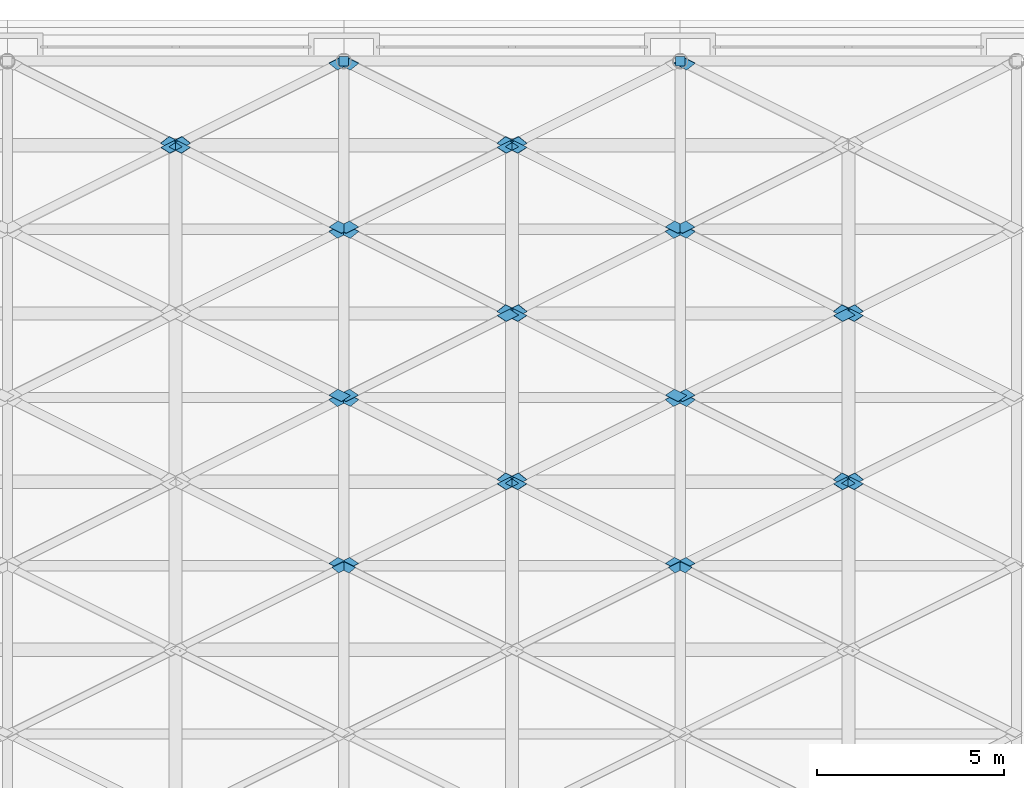
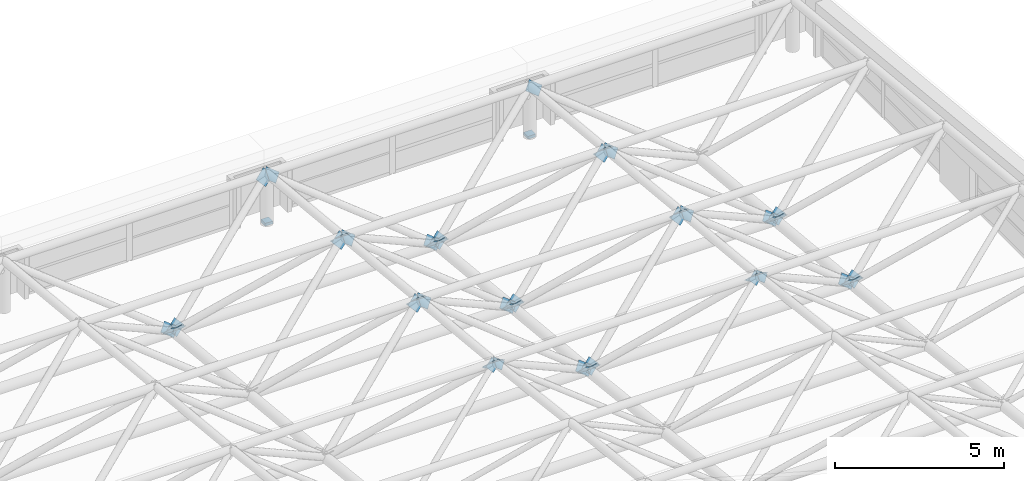
# One storey, part 50 of 53: 53 discrete accessories.
"""IFC4 building model written with IfcOpenShell, lengths in metres."""

from ifc_helpers import new_model, si_unit, direction, frame, origin, origin_2d, place, context, subcontext, project, spatial, polyline, rectangle, outline, extrude, material, layer, layer_set, type_object, element, save


model = new_model("IFC4")

# Units and contexts
model_context = context("Model", 3, precision=1e-05, world=origin(), true_north=direction((0.0, 1.0)))
body_context = subcontext(model_context, "Body", "Model", "MODEL_VIEW")
ifc_project = project(units=[si_unit("LENGTHUNIT", "METRE"), si_unit("AREAUNIT", "SQUARE_METRE"), si_unit("VOLUMEUNIT", "CUBIC_METRE"), si_unit("PLANEANGLEUNIT", "RADIAN"), si_unit("MASSUNIT", "GRAM", prefix="KILO")], contexts=[model_context])

# Site, building, storey
site_placement = place(None, origin())
site = spatial("IfcSite", under=ifc_project, at=site_placement, CompositionType="ELEMENT")
building_placement = place(site_placement, origin())
building = spatial("IfcBuilding", under=site, at=building_placement, Name="Aravalli Gate Trade Fair Centre", CompositionType="ELEMENT")
storey_placement = place(building_placement, frame((0.0, 0.0, 25.199951171875)))
storey = spatial("IfcBuildingStorey", under=building, at=storey_placement, Name="ROOF LEVEL 2", CompositionType="ELEMENT", Elevation=25.199951171875)

# Discrete accessories
ifc_material = material(Name="Steel E350", Category="steel")
discrete_accessory_type_1 = type_object("IfcDiscreteAccessoryType", Name="Bearing shoe sliding along the vault", PredefinedType="BRACKET", material=ifc_material)
for number, where, z_axis, x_axis, name in (
    (1, (87.0, 109.0, 0.0), (0.0, 0.0, 1.0), (1.0, 0.0, 0.0), "Bearing shoe H10 (sliding)"),
    (2, (96.0, 109.0, 0.0), (0.0, 0.0, 1.0), (1.0, 0.0, 0.0), "Bearing shoe H11 (sliding)"),
):
    element("IfcDiscreteAccessory", number, at=place(storey_placement, frame(where, z_axis=z_axis, x_axis=x_axis)), inside=storey, type_object=discrete_accessory_type_1, Name=name, PredefinedType="BRACKET", context=body_context, shape_type="SweptSolid", body=[
        extrude(rectangle(XDim=0.260009765625, YDim=0.260009765625, at=origin_2d()), origin(), (0.0, 0.0, 1.0), 0.10009765625),
    ])
ifc_layer_1 = layer(ifc_material, 0.011962890625)
ifc_layer_set_1 = layer_set([ifc_layer_1], Name="Steel E350")
discrete_accessory_type_2 = type_object("IfcDiscreteAccessoryType", Name="Gusset plate 291 x 291 x 12", PredefinedType="USERDEFINED", material=ifc_layer_set_1)
for number, where, z_axis, x_axis, name in (
    (3, (87.138916015625, 95.308349609375, 2.92724609375), (-6.9765199e-05, -0.771154883137, 0.636647580178), (-0.786484474244, 0.393242254842, 0.476238071536), "Gusset plate Space frame web diagonal D5C end A"),
    (4, (96.138916015625, 95.308349609375, 2.92724609375), (-6.9765199e-05, -0.771154883137, 0.636647580178), (-0.786484474244, 0.393242254842, 0.476238071536), "Gusset plate Space frame web diagonal D5C end A"),
):
    element("IfcDiscreteAccessory", number, at=place(storey_placement, frame(where, z_axis=z_axis, x_axis=x_axis)), inside=storey, type_object=discrete_accessory_type_2, Name=name, ObjectType="GUSSET PLATE", PredefinedType="USERDEFINED", context=body_context, shape_type="SweptSolid", body=[
        extrude(outline(polyline([(0.0, 0.0), (0.37064165383501635, 1.3877787807814457e-17), (0.3706783195979393, -0.29059144692340316), (0.00022867857401766278, -0.2904406632211646), (0.0, 0.0)])), origin(), (0.0, 0.0, -1.0), 0.011962890625),
    ])
for number, where, z_axis, x_axis, name in (
    (5, (86.681884765625, 95.453857421875, 3.103515625), (6.9765199e-05, -0.771154883137, 0.636647580178), (0.786233023991, 0.393446013556, 0.476484906794), "Gusset plate Space frame web diagonal D5D end A"),
    (6, (95.681884765625, 95.453857421875, 3.103515625), (6.9765199e-05, -0.771154883137, 0.636647580178), (0.786233023991, 0.393446013556, 0.476484906794), "Gusset plate Space frame web diagonal D5D end A"),
):
    element("IfcDiscreteAccessory", number, at=place(storey_placement, frame(where, z_axis=z_axis, x_axis=x_axis)), inside=storey, type_object=discrete_accessory_type_2, Name=name, ObjectType="GUSSET PLATE", PredefinedType="USERDEFINED", context=body_context, shape_type="SweptSolid", body=[
        extrude(outline(polyline([(0.0, 0.0), (0.37044967171058096, -2.7755575615628914e-17), (0.3702947268495056, -0.290591407927876), (-0.0003468962829482891, -0.29044054608337494), (0.0, 0.0)])), origin(), (0.0, 0.0, -1.0), 0.011962890625),
    ])
ifc_layer_2 = layer(ifc_material, 0.011962890625)
ifc_layer_set_2 = layer_set([ifc_layer_2], Name="Steel E350")
discrete_accessory_type_3 = type_object("IfcDiscreteAccessoryType", Name="Gusset plate 367 x 367 x 12", PredefinedType="USERDEFINED", material=ifc_layer_set_2)
discrete_accessory_1_placement = place(storey_placement, frame((87.155517578125, 95.721923828125, 2.84228515625), z_axis=(-5.6748583e-05, 0.820281851296, 0.571959510117), x_axis=(-0.752910033129, -0.376455016564, 0.539822287904)))
element("IfcDiscreteAccessory", 7, at=discrete_accessory_1_placement, inside=storey, type_object=discrete_accessory_type_3, Name="Gusset plate Space frame web diagonal D6A end A", ObjectType="GUSSET PLATE", PredefinedType="USERDEFINED", context=body_context, shape_type="SweptSolid", body=[
    extrude(outline(polyline([(0.0, 0.0), (0.44683397278152426, -2.7755575615628914e-17), (0.44699177701993154, 0.3666937395408909), (0.0001578042384072914, 0.3666937395408909), (0.0, 0.0)])), origin(), (0.0, 0.0, -1.0), 0.011962890625),
])
discrete_accessory_2_placement = place(storey_placement, frame((91.103271484375, 97.69580078125, 0.01318359375), z_axis=(-5.6748583e-05, 0.820281851296, 0.571959510117), x_axis=(0.752910033129, 0.376455016564, -0.539822287904)))
element("IfcDiscreteAccessory", 8, at=discrete_accessory_2_placement, inside=storey, type_object=discrete_accessory_type_3, Name="Gusset plate Space frame web diagonal D6A end B", ObjectType="GUSSET PLATE", PredefinedType="USERDEFINED", context=body_context, shape_type="SweptSolid", body=[
    extrude(outline(polyline([(0.0, 0.0), (0.44683397278152426, -2.7755575615628914e-17), (0.446676168543117, -0.36669373954089096), (-0.0001578042384072914, -0.3666937395408909), (0.0, 0.0)])), origin(), (0.0, 0.0, -1.0), 0.011962890625),
])
discrete_accessory_3_placement = place(storey_placement, frame((96.155517578125, 95.721923828125, 2.84228515625), z_axis=(-5.6748583e-05, 0.820281851296, 0.571959510117), x_axis=(-0.752910033129, -0.376455016564, 0.539822287904)))
element("IfcDiscreteAccessory", 9, at=discrete_accessory_3_placement, inside=storey, type_object=discrete_accessory_type_3, Name="Gusset plate Space frame web diagonal D6A end A", ObjectType="GUSSET PLATE", PredefinedType="USERDEFINED", context=body_context, shape_type="SweptSolid", body=[
    extrude(outline(polyline([(0.0, 0.0), (0.44683397278152426, -2.7755575615628914e-17), (0.44699177701993154, 0.3666937395408909), (0.0001578042384072914, 0.3666937395408909), (0.0, 0.0)])), origin(), (0.0, 0.0, -1.0), 0.011962890625),
])
discrete_accessory_4_placement = place(storey_placement, frame((100.103271484375, 97.69580078125, 0.01318359375), z_axis=(-5.6748583e-05, 0.820281851296, 0.571959510117), x_axis=(0.752910033129, 0.376455016564, -0.539822287904)))
element("IfcDiscreteAccessory", 10, at=discrete_accessory_4_placement, inside=storey, type_object=discrete_accessory_type_3, Name="Gusset plate Space frame web diagonal D6A end B", ObjectType="GUSSET PLATE", PredefinedType="USERDEFINED", context=body_context, shape_type="SweptSolid", body=[
    extrude(outline(polyline([(0.0, 0.0), (0.44683397278152426, -2.7755575615628914e-17), (0.446676168543117, -0.36669373954089096), (-0.0001578042384072914, -0.3666937395408909), (0.0, 0.0)])), origin(), (0.0, 0.0, -1.0), 0.011962890625),
])
discrete_accessory_5_placement = place(storey_placement, frame((87.155517578125, 100.221923828125, 2.392333984375), z_axis=(-4.9126691e-05, 0.820140995503, 0.572161467667), x_axis=(-0.752910034648, -0.376583216139, 0.539732860821)))
element("IfcDiscreteAccessory", 11, at=discrete_accessory_5_placement, inside=storey, type_object=discrete_accessory_type_3, Name="Gusset plate Space frame web diagonal D6A end A", ObjectType="GUSSET PLATE", PredefinedType="USERDEFINED", context=body_context, shape_type="SweptSolid", body=[
    extrude(outline(polyline([(0.0, 0.0), (0.4468339673229258, 0.0), (0.4468599899280901, 0.36654297340046177), (0.00015779332313807515, 0.366693732894023), (0.0, 0.0)])), origin(), (0.0, 0.0, -1.0), 0.011962890625),
])
discrete_accessory_6_placement = place(storey_placement, frame((91.103271484375, 102.19580078125, -0.436767578125), z_axis=(-4.9126691e-05, 0.820140995503, 0.572161467667), x_axis=(0.752910034648, 0.376583216139, -0.539732860821)))
element("IfcDiscreteAccessory", 12, at=discrete_accessory_6_placement, inside=storey, type_object=discrete_accessory_type_3, Name="Gusset plate Space frame web diagonal D6A end B", ObjectType="GUSSET PLATE", PredefinedType="USERDEFINED", context=body_context, shape_type="SweptSolid", body=[
    extrude(outline(polyline([(0.0, 0.0), (0.4468339673229258, 0.0), (0.44667617399978776, -0.366693732894023), (-2.6022605164321977e-05, -0.3665429734004617), (0.0, 0.0)])), origin(), (0.0, 0.0, -1.0), 0.011962890625),
])
discrete_accessory_7_placement = place(storey_placement, frame((96.155517578125, 100.221923828125, 2.392333984375), z_axis=(-4.9126691e-05, 0.820140995503, 0.572161467667), x_axis=(-0.752910034648, -0.376583216139, 0.539732860821)))
element("IfcDiscreteAccessory", 13, at=discrete_accessory_7_placement, inside=storey, type_object=discrete_accessory_type_3, Name="Gusset plate Space frame web diagonal D6A end A", ObjectType="GUSSET PLATE", PredefinedType="USERDEFINED", context=body_context, shape_type="SweptSolid", body=[
    extrude(outline(polyline([(0.0, 0.0), (0.4468339673229258, 0.0), (0.4468599899280901, 0.36654297340046177), (0.00015779332313807515, 0.366693732894023), (0.0, 0.0)])), origin(), (0.0, 0.0, -1.0), 0.011962890625),
])
discrete_accessory_8_placement = place(storey_placement, frame((100.103271484375, 102.19580078125, -0.436767578125), z_axis=(-4.9126691e-05, 0.820140995503, 0.572161467667), x_axis=(0.752910034648, 0.376583216139, -0.539732860821)))
element("IfcDiscreteAccessory", 14, at=discrete_accessory_8_placement, inside=storey, type_object=discrete_accessory_type_3, Name="Gusset plate Space frame web diagonal D6A end B", ObjectType="GUSSET PLATE", PredefinedType="USERDEFINED", context=body_context, shape_type="SweptSolid", body=[
    extrude(outline(polyline([(0.0, 0.0), (0.4468339673229258, 0.0), (0.44667617399978776, -0.366693732894023), (-2.6022605164321977e-05, -0.3665429734004617), (0.0, 0.0)])), origin(), (0.0, 0.0, -1.0), 0.011962890625),
])
discrete_accessory_9_placement = place(storey_placement, frame((82.103271484375, 106.69580078125, -0.886962890625), z_axis=(-0.000292195819, 0.820164189793, 0.572128146837), x_axis=(0.753132087854, 0.376566043927, -0.539434956975)))
element("IfcDiscreteAccessory", 15, at=discrete_accessory_9_placement, inside=storey, type_object=discrete_accessory_type_3, Name="Gusset plate Space frame web diagonal D6A end B", ObjectType="GUSSET PLATE", PredefinedType="USERDEFINED", context=body_context, shape_type="SweptSolid", body=[
    extrude(outline(polyline([(0.0, 0.0), (0.4467022275054028, 2.7755575615628914e-17), (0.4466682021894723, -0.366693771917302), (-3.402531593046931e-05, -0.366693771917302), (0.0, 0.0)])), origin(), (0.0, 0.0, -1.0), 0.011962890625),
])
discrete_accessory_10_placement = place(storey_placement, frame((87.155517578125, 104.721923828125, 1.9423828125), z_axis=(-0.000292195819, 0.820164189793, 0.572128146837), x_axis=(-0.753132087854, -0.376566043927, 0.539434956975)))
element("IfcDiscreteAccessory", 16, at=discrete_accessory_10_placement, inside=storey, type_object=discrete_accessory_type_3, Name="Gusset plate Space frame web diagonal D6A end A", ObjectType="GUSSET PLATE", PredefinedType="USERDEFINED", context=body_context, shape_type="SweptSolid", body=[
    extrude(outline(polyline([(0.0, 0.0), (0.4467022275054028, 2.7755575615628914e-17), (0.4467362528213333, 0.36669377191730207), (3.402531593046931e-05, 0.366693771917302), (0.0, 0.0)])), origin(), (0.0, 0.0, -1.0), 0.011962890625),
])
discrete_accessory_11_placement = place(storey_placement, frame((91.103271484375, 106.69580078125, -0.886962890625), z_axis=(-0.000292195819, 0.820164189793, 0.572128146837), x_axis=(0.753132087854, 0.376566043927, -0.539434956975)))
element("IfcDiscreteAccessory", 17, at=discrete_accessory_11_placement, inside=storey, type_object=discrete_accessory_type_3, Name="Gusset plate Space frame web diagonal D6A end B", ObjectType="GUSSET PLATE", PredefinedType="USERDEFINED", context=body_context, shape_type="SweptSolid", body=[
    extrude(outline(polyline([(0.0, 0.0), (0.4467022275054028, 2.7755575615628914e-17), (0.4466682021894723, -0.366693771917302), (-3.402531593046931e-05, -0.366693771917302), (0.0, 0.0)])), origin(), (0.0, 0.0, -1.0), 0.011962890625),
])
discrete_accessory_12_placement = place(storey_placement, frame((96.155517578125, 104.721923828125, 1.9423828125), z_axis=(-0.000292195819, 0.820164189793, 0.572128146837), x_axis=(-0.753132087854, -0.376566043927, 0.539434956975)))
element("IfcDiscreteAccessory", 18, at=discrete_accessory_12_placement, inside=storey, type_object=discrete_accessory_type_3, Name="Gusset plate Space frame web diagonal D6A end A", ObjectType="GUSSET PLATE", PredefinedType="USERDEFINED", context=body_context, shape_type="SweptSolid", body=[
    extrude(outline(polyline([(0.0, 0.0), (0.4467022275054028, 2.7755575615628914e-17), (0.4467362528213333, 0.36669377191730207), (3.402531593046931e-05, 0.366693771917302), (0.0, 0.0)])), origin(), (0.0, 0.0, -1.0), 0.011962890625),
])
for number, where, z_axis, x_axis, name in (
    (19, (86.603271484375, 95.56396484375, 3.06884765625), (5.6748583e-05, 0.820281851296, 0.571959510117), (0.752910033129, -0.376455016564, 0.539822287904), "Gusset plate Space frame web diagonal D6B end A"),
    (20, (95.603271484375, 95.56396484375, 3.06884765625), (5.6748583e-05, 0.820281851296, 0.571959510117), (0.752910033129, -0.376455016564, 0.539822287904), "Gusset plate Space frame web diagonal D6B end A"),
):
    element("IfcDiscreteAccessory", number, at=place(storey_placement, frame(where, z_axis=z_axis, x_axis=x_axis)), inside=storey, type_object=discrete_accessory_type_3, Name=name, ObjectType="GUSSET PLATE", PredefinedType="USERDEFINED", context=body_context, shape_type="SweptSolid", body=[
        extrude(outline(polyline([(0.0, 0.0), (0.44683397278152426, 2.7755575615628914e-17), (0.446676168543117, 0.36669373954089096), (-0.0001578042384072914, 0.3666937395408909), (0.0, 0.0)])), origin(), (0.0, 0.0, -1.0), 0.011962890625),
    ])
for number, where, z_axis, x_axis, name in (
    (21, (91.655517578125, 97.537841796875, 0.23974609375), (5.6748583e-05, 0.820281851296, 0.571959510117), (-0.752910033129, 0.376455016564, -0.539822287904), "Gusset plate Space frame web diagonal D6B end B"),
    (22, (100.655517578125, 97.537841796875, 0.23974609375), (5.6748583e-05, 0.820281851296, 0.571959510117), (-0.752910033129, 0.376455016564, -0.539822287904), "Gusset plate Space frame web diagonal D6B end B"),
):
    element("IfcDiscreteAccessory", number, at=place(storey_placement, frame(where, z_axis=z_axis, x_axis=x_axis)), inside=storey, type_object=discrete_accessory_type_3, Name=name, ObjectType="GUSSET PLATE", PredefinedType="USERDEFINED", context=body_context, shape_type="SweptSolid", body=[
        extrude(outline(polyline([(0.0, 0.0), (0.44683397278152426, 2.7755575615628914e-17), (0.44699177701993154, -0.3666937395408909), (0.0001578042384072914, -0.3666937395408909), (0.0, 0.0)])), origin(), (0.0, 0.0, -1.0), 0.011962890625),
    ])
for number, where, z_axis, x_axis, name in (
    (23, (86.603271484375, 100.06396484375, 2.618896484375), (4.9126691e-05, 0.820140995503, 0.572161467667), (0.753132104741, -0.376437815746, 0.539524423623), "Gusset plate Space frame web diagonal D6B end A"),
    (24, (95.603271484375, 100.06396484375, 2.618896484375), (4.9126691e-05, 0.820140995503, 0.572161467667), (0.753132104741, -0.376437815746, 0.539524423623), "Gusset plate Space frame web diagonal D6B end A"),
):
    element("IfcDiscreteAccessory", number, at=place(storey_placement, frame(where, z_axis=z_axis, x_axis=x_axis)), inside=storey, type_object=discrete_accessory_type_3, Name=name, ObjectType="GUSSET PLATE", PredefinedType="USERDEFINED", context=body_context, shape_type="SweptSolid", body=[
        extrude(outline(polyline([(0.0, 0.0), (0.4467022220451944, 0.0), (0.44679990563841726, 0.3665429613078707), (-3.4036236763179684e-05, 0.3666937652647241), (0.0, 0.0)])), origin(), (0.0, 0.0, -1.0), 0.011962890625),
    ])
for number, where, z_axis, x_axis, name in (
    (25, (91.655517578125, 102.037841796875, -0.21044921875), (4.9126691e-05, 0.820140995503, 0.572161467667), (-0.753132104741, 0.376437815746, -0.539524423623), "Gusset plate Space frame web diagonal D6B end B"),
    (26, (100.655517578125, 102.037841796875, -0.21044921875), (4.9126691e-05, 0.820140995503, 0.572161467667), (-0.753132104741, 0.376437815746, -0.539524423623), "Gusset plate Space frame web diagonal D6B end B"),
):
    element("IfcDiscreteAccessory", number, at=place(storey_placement, frame(where, z_axis=z_axis, x_axis=x_axis)), inside=storey, type_object=discrete_accessory_type_3, Name=name, ObjectType="GUSSET PLATE", PredefinedType="USERDEFINED", context=body_context, shape_type="SweptSolid", body=[
        extrude(outline(polyline([(0.0, 0.0), (0.4467022220451944, 0.0), (0.44673625828195757, -0.3666937652647241), (-9.768359322287479e-05, -0.3665429613078708), (0.0, 0.0)])), origin(), (0.0, 0.0, -1.0), 0.011962890625),
    ])
discrete_accessory_13_placement = place(storey_placement, frame((86.603271484375, 104.56396484375, 2.1689453125), z_axis=(0.000292195819, 0.820164189793, 0.572128146837), x_axis=(0.753132087854, -0.376566043927, 0.539434956975)))
element("IfcDiscreteAccessory", 27, at=discrete_accessory_13_placement, inside=storey, type_object=discrete_accessory_type_3, Name="Gusset plate Space frame web diagonal D6B end A", ObjectType="GUSSET PLATE", PredefinedType="USERDEFINED", context=body_context, shape_type="SweptSolid", body=[
    extrude(outline(polyline([(0.0, 0.0), (0.4467022275054028, -2.7755575615628914e-17), (0.4466682021894723, 0.366693771917302), (-3.402531593046931e-05, 0.366693771917302), (0.0, 0.0)])), origin(), (0.0, 0.0, -1.0), 0.011962890625),
])
discrete_accessory_14_placement = place(storey_placement, frame((82.655517578125, 106.537841796875, -0.660400390625), z_axis=(0.000292195819, 0.820164189793, 0.572128146837), x_axis=(-0.753132087854, 0.376566043927, -0.539434956975)))
element("IfcDiscreteAccessory", 28, at=discrete_accessory_14_placement, inside=storey, type_object=discrete_accessory_type_3, Name="Gusset plate Space frame web diagonal D6B end B", ObjectType="GUSSET PLATE", PredefinedType="USERDEFINED", context=body_context, shape_type="SweptSolid", body=[
    extrude(outline(polyline([(0.0, 0.0), (0.4467022275054028, -2.7755575615628914e-17), (0.4467362528213333, -0.36669377191730207), (3.402531593046931e-05, -0.366693771917302), (0.0, 0.0)])), origin(), (0.0, 0.0, -1.0), 0.011962890625),
])
discrete_accessory_15_placement = place(storey_placement, frame((95.603271484375, 104.56396484375, 2.1689453125), z_axis=(0.000292195819, 0.820164189793, 0.572128146837), x_axis=(0.753132087854, -0.376566043927, 0.539434956975)))
element("IfcDiscreteAccessory", 29, at=discrete_accessory_15_placement, inside=storey, type_object=discrete_accessory_type_3, Name="Gusset plate Space frame web diagonal D6B end A", ObjectType="GUSSET PLATE", PredefinedType="USERDEFINED", context=body_context, shape_type="SweptSolid", body=[
    extrude(outline(polyline([(0.0, 0.0), (0.4467022275054028, -2.7755575615628914e-17), (0.4466682021894723, 0.366693771917302), (-3.402531593046931e-05, 0.366693771917302), (0.0, 0.0)])), origin(), (0.0, 0.0, -1.0), 0.011962890625),
])
discrete_accessory_16_placement = place(storey_placement, frame((91.655517578125, 106.537841796875, -0.660400390625), z_axis=(0.000292195819, 0.820164189793, 0.572128146837), x_axis=(-0.753132087854, 0.376566043927, -0.539434956975)))
element("IfcDiscreteAccessory", 30, at=discrete_accessory_16_placement, inside=storey, type_object=discrete_accessory_type_3, Name="Gusset plate Space frame web diagonal D6B end B", ObjectType="GUSSET PLATE", PredefinedType="USERDEFINED", context=body_context, shape_type="SweptSolid", body=[
    extrude(outline(polyline([(0.0, 0.0), (0.4467022275054028, -2.7755575615628914e-17), (0.4467362528213333, -0.36669377191730207), (3.402531593046931e-05, -0.366693771917302), (0.0, 0.0)])), origin(), (0.0, 0.0, -1.0), 0.011962890625),
])
discrete_accessory_17_placement = place(storey_placement, frame((87.173095703125, 99.76123046875, 2.4150390625), z_axis=(-0.000106895173, -0.77673595722, 0.629826358082), x_axis=(-0.783044443413, 0.391795440284, 0.483050445204)))
element("IfcDiscreteAccessory", 31, at=discrete_accessory_17_placement, inside=storey, type_object=discrete_accessory_type_3, Name="Gusset plate Space frame web diagonal D6C end A", ObjectType="GUSSET PLATE", PredefinedType="USERDEFINED", context=body_context, shape_type="SweptSolid", body=[
    extrude(outline(polyline([(0.0, 0.0), (0.4467862821424865, 0.0), (0.4467086389724838, -0.36691841645657763), (-7.764317000273635e-05, -0.36691841645657763), (0.0, 0.0)])), origin(), (0.0, 0.0, -1.0), 0.011962890625),
])
discrete_accessory_18_placement = place(storey_placement, frame((91.0986328125, 97.798583984375, -0.005615234375), z_axis=(-0.000106895173, -0.77673595722, 0.629826358082), x_axis=(0.783044443413, -0.391795440284, -0.483050445204)))
element("IfcDiscreteAccessory", 32, at=discrete_accessory_18_placement, inside=storey, type_object=discrete_accessory_type_3, Name="Gusset plate Space frame web diagonal D6C end B", ObjectType="GUSSET PLATE", PredefinedType="USERDEFINED", context=body_context, shape_type="SweptSolid", body=[
    extrude(outline(polyline([(0.0, 0.0), (0.4467862821424865, 0.0), (0.4468639253124893, 0.3669184164565776), (7.764317000273635e-05, 0.36691841645657763), (0.0, 0.0)])), origin(), (0.0, 0.0, -1.0), 0.011962890625),
])
discrete_accessory_19_placement = place(storey_placement, frame((96.173095703125, 99.76123046875, 2.4150390625), z_axis=(-0.000106895173, -0.77673595722, 0.629826358082), x_axis=(-0.783044443413, 0.391795440284, 0.483050445204)))
element("IfcDiscreteAccessory", 33, at=discrete_accessory_19_placement, inside=storey, type_object=discrete_accessory_type_3, Name="Gusset plate Space frame web diagonal D6C end A", ObjectType="GUSSET PLATE", PredefinedType="USERDEFINED", context=body_context, shape_type="SweptSolid", body=[
    extrude(outline(polyline([(0.0, 0.0), (0.4467862821424865, 0.0), (0.4467086389724838, -0.36691841645657763), (-7.764317000273635e-05, -0.36691841645657763), (0.0, 0.0)])), origin(), (0.0, 0.0, -1.0), 0.011962890625),
])
discrete_accessory_20_placement = place(storey_placement, frame((100.0986328125, 97.798583984375, -0.005615234375), z_axis=(-0.000106895173, -0.77673595722, 0.629826358082), x_axis=(0.783044443413, -0.391795440284, -0.483050445204)))
element("IfcDiscreteAccessory", 34, at=discrete_accessory_20_placement, inside=storey, type_object=discrete_accessory_type_3, Name="Gusset plate Space frame web diagonal D6C end B", ObjectType="GUSSET PLATE", PredefinedType="USERDEFINED", context=body_context, shape_type="SweptSolid", body=[
    extrude(outline(polyline([(0.0, 0.0), (0.4467862821424865, 0.0), (0.4468639253124893, 0.3669184164565776), (7.764317000273635e-05, 0.36691841645657763), (0.0, 0.0)])), origin(), (0.0, 0.0, -1.0), 0.011962890625),
])
discrete_accessory_21_placement = place(storey_placement, frame((87.173095703125, 104.26123046875, 1.965087890625), z_axis=(-0.000106895173, -0.77673595722, 0.629826358082), x_axis=(-0.783044443413, 0.391795440284, 0.483050445204)))
element("IfcDiscreteAccessory", 35, at=discrete_accessory_21_placement, inside=storey, type_object=discrete_accessory_type_3, Name="Gusset plate Space frame web diagonal D6C end A", ObjectType="GUSSET PLATE", PredefinedType="USERDEFINED", context=body_context, shape_type="SweptSolid", body=[
    extrude(outline(polyline([(0.0, 0.0), (0.4467862821424865, 0.0), (0.4467086389724838, -0.36691841645657763), (-7.764317000273635e-05, -0.36691841645657763), (0.0, 0.0)])), origin(), (0.0, 0.0, -1.0), 0.011962890625),
])
discrete_accessory_22_placement = place(storey_placement, frame((91.0986328125, 102.298583984375, -0.45556640625), z_axis=(-0.000106895173, -0.77673595722, 0.629826358082), x_axis=(0.783044443413, -0.391795440284, -0.483050445204)))
element("IfcDiscreteAccessory", 36, at=discrete_accessory_22_placement, inside=storey, type_object=discrete_accessory_type_3, Name="Gusset plate Space frame web diagonal D6C end B", ObjectType="GUSSET PLATE", PredefinedType="USERDEFINED", context=body_context, shape_type="SweptSolid", body=[
    extrude(outline(polyline([(0.0, 0.0), (0.4467862821424865, 0.0), (0.4468639253124893, 0.3669184164565776), (7.764317000273635e-05, 0.36691841645657763), (0.0, 0.0)])), origin(), (0.0, 0.0, -1.0), 0.011962890625),
])
discrete_accessory_23_placement = place(storey_placement, frame((96.173095703125, 104.26123046875, 1.965087890625), z_axis=(-0.000106895173, -0.77673595722, 0.629826358082), x_axis=(-0.783044443413, 0.391795440284, 0.483050445204)))
element("IfcDiscreteAccessory", 37, at=discrete_accessory_23_placement, inside=storey, type_object=discrete_accessory_type_3, Name="Gusset plate Space frame web diagonal D6C end A", ObjectType="GUSSET PLATE", PredefinedType="USERDEFINED", context=body_context, shape_type="SweptSolid", body=[
    extrude(outline(polyline([(0.0, 0.0), (0.4467862821424865, 0.0), (0.4467086389724838, -0.36691841645657763), (-7.764317000273635e-05, -0.36691841645657763), (0.0, 0.0)])), origin(), (0.0, 0.0, -1.0), 0.011962890625),
])
for number, where, z_axis, x_axis, name in (
    (38, (100.0986328125, 102.298583984375, -0.45556640625), (-0.000106895173, -0.77673595722, 0.629826358082), (0.783044443413, -0.391795440284, -0.483050445204), "Gusset plate Space frame web diagonal D6C end B"),
    (39, (82.0986328125, 106.798583984375, -0.905517578125), (-0.000106895173, -0.77673595722, 0.629826358082), (0.783044443413, -0.391795440284, -0.483050445204), "Gusset plate Space frame web diagonal D6C end B"),
):
    element("IfcDiscreteAccessory", number, at=place(storey_placement, frame(where, z_axis=z_axis, x_axis=x_axis)), inside=storey, type_object=discrete_accessory_type_3, Name=name, ObjectType="GUSSET PLATE", PredefinedType="USERDEFINED", context=body_context, shape_type="SweptSolid", body=[
        extrude(outline(polyline([(0.0, 0.0), (0.4467862821424865, 0.0), (0.4468639253124893, 0.3669184164565776), (7.764317000273635e-05, 0.36691841645657763), (0.0, 0.0)])), origin(), (0.0, 0.0, -1.0), 0.011962890625),
    ])
discrete_accessory_24_placement = place(storey_placement, frame((87.173095703125, 108.76123046875, 1.51513671875), z_axis=(-0.000106895173, -0.77673595722, 0.629826358082), x_axis=(-0.783044443413, 0.391795440284, 0.483050445204)))
element("IfcDiscreteAccessory", 40, at=discrete_accessory_24_placement, inside=storey, type_object=discrete_accessory_type_3, Name="Gusset plate Space frame web diagonal D6C end A", ObjectType="GUSSET PLATE", PredefinedType="USERDEFINED", context=body_context, shape_type="SweptSolid", body=[
    extrude(outline(polyline([(0.0, 0.0), (0.4467862821424865, 0.0), (0.4467086389724838, -0.36691841645657763), (-7.764317000273635e-05, -0.36691841645657763), (0.0, 0.0)])), origin(), (0.0, 0.0, -1.0), 0.011962890625),
])
discrete_accessory_25_placement = place(storey_placement, frame((91.0986328125, 106.798583984375, -0.905517578125), z_axis=(-0.000106895173, -0.77673595722, 0.629826358082), x_axis=(0.783044443413, -0.391795440284, -0.483050445204)))
element("IfcDiscreteAccessory", 41, at=discrete_accessory_25_placement, inside=storey, type_object=discrete_accessory_type_3, Name="Gusset plate Space frame web diagonal D6C end B", ObjectType="GUSSET PLATE", PredefinedType="USERDEFINED", context=body_context, shape_type="SweptSolid", body=[
    extrude(outline(polyline([(0.0, 0.0), (0.4467862821424865, 0.0), (0.4468639253124893, 0.3669184164565776), (7.764317000273635e-05, 0.36691841645657763), (0.0, 0.0)])), origin(), (0.0, 0.0, -1.0), 0.011962890625),
])
discrete_accessory_26_placement = place(storey_placement, frame((96.173095703125, 108.76123046875, 1.51513671875), z_axis=(-0.000106895173, -0.77673595722, 0.629826358082), x_axis=(-0.783044443413, 0.391795440284, 0.483050445204)))
element("IfcDiscreteAccessory", 42, at=discrete_accessory_26_placement, inside=storey, type_object=discrete_accessory_type_3, Name="Gusset plate Space frame web diagonal D6C end A", ObjectType="GUSSET PLATE", PredefinedType="USERDEFINED", context=body_context, shape_type="SweptSolid", body=[
    extrude(outline(polyline([(0.0, 0.0), (0.4467862821424865, 0.0), (0.4467086389724838, -0.36691841645657763), (-7.764317000273635e-05, -0.36691841645657763), (0.0, 0.0)])), origin(), (0.0, 0.0, -1.0), 0.011962890625),
])
for number, where, z_axis, x_axis, name in (
    (43, (86.5986328125, 99.942138671875, 2.63818359375), (0.000106895173, -0.77673595722, 0.629826358082), (0.783044443413, 0.391795440284, 0.483050445204), "Gusset plate Space frame web diagonal D6D end A"),
    (44, (95.5986328125, 99.942138671875, 2.63818359375), (0.000106895173, -0.77673595722, 0.629826358082), (0.783044443413, 0.391795440284, 0.483050445204), "Gusset plate Space frame web diagonal D6D end A"),
):
    element("IfcDiscreteAccessory", number, at=place(storey_placement, frame(where, z_axis=z_axis, x_axis=x_axis)), inside=storey, type_object=discrete_accessory_type_3, Name=name, ObjectType="GUSSET PLATE", PredefinedType="USERDEFINED", context=body_context, shape_type="SweptSolid", body=[
        extrude(outline(polyline([(0.0, 0.0), (0.4467862821424865, 0.0), (0.4468639253124893, -0.3669184164565776), (7.764317000273635e-05, -0.36691841645657763), (0.0, 0.0)])), origin(), (0.0, 0.0, -1.0), 0.011962890625),
    ])
for number, where, z_axis, x_axis, name in (
    (45, (91.673095703125, 97.9794921875, 0.217529296875), (0.000106895173, -0.77673595722, 0.629826358082), (-0.783044443413, -0.391795440284, -0.483050445204), "Gusset plate Space frame web diagonal D6D end B"),
    (46, (100.673095703125, 97.9794921875, 0.217529296875), (0.000106895173, -0.77673595722, 0.629826358082), (-0.783044443413, -0.391795440284, -0.483050445204), "Gusset plate Space frame web diagonal D6D end B"),
):
    element("IfcDiscreteAccessory", number, at=place(storey_placement, frame(where, z_axis=z_axis, x_axis=x_axis)), inside=storey, type_object=discrete_accessory_type_3, Name=name, ObjectType="GUSSET PLATE", PredefinedType="USERDEFINED", context=body_context, shape_type="SweptSolid", body=[
        extrude(outline(polyline([(0.0, 0.0), (0.4467862821424865, 0.0), (0.4467086389724838, 0.36691841645657763), (-7.764317000273635e-05, 0.36691841645657763), (0.0, 0.0)])), origin(), (0.0, 0.0, -1.0), 0.011962890625),
    ])
for number, where, z_axis, x_axis, name in (
    (47, (86.5986328125, 104.442138671875, 2.188232421875), (0.000106895173, -0.77673595722, 0.629826358082), (0.783044443413, 0.391795440284, 0.483050445204), "Gusset plate Space frame web diagonal D6D end A"),
    (48, (95.5986328125, 104.442138671875, 2.188232421875), (0.000106895173, -0.77673595722, 0.629826358082), (0.783044443413, 0.391795440284, 0.483050445204), "Gusset plate Space frame web diagonal D6D end A"),
):
    element("IfcDiscreteAccessory", number, at=place(storey_placement, frame(where, z_axis=z_axis, x_axis=x_axis)), inside=storey, type_object=discrete_accessory_type_3, Name=name, ObjectType="GUSSET PLATE", PredefinedType="USERDEFINED", context=body_context, shape_type="SweptSolid", body=[
        extrude(outline(polyline([(0.0, 0.0), (0.4467862821424865, 0.0), (0.4468639253124893, -0.3669184164565776), (7.764317000273635e-05, -0.36691841645657763), (0.0, 0.0)])), origin(), (0.0, 0.0, -1.0), 0.011962890625),
    ])
for number, where, z_axis, x_axis, name in (
    (49, (91.673095703125, 102.4794921875, -0.232421875), (0.000106895173, -0.77673595722, 0.629826358082), (-0.783044443413, -0.391795440284, -0.483050445204), "Gusset plate Space frame web diagonal D6D end B"),
    (50, (100.673095703125, 102.4794921875, -0.232421875), (0.000106895173, -0.77673595722, 0.629826358082), (-0.783044443413, -0.391795440284, -0.483050445204), "Gusset plate Space frame web diagonal D6D end B"),
):
    element("IfcDiscreteAccessory", number, at=place(storey_placement, frame(where, z_axis=z_axis, x_axis=x_axis)), inside=storey, type_object=discrete_accessory_type_3, Name=name, ObjectType="GUSSET PLATE", PredefinedType="USERDEFINED", context=body_context, shape_type="SweptSolid", body=[
        extrude(outline(polyline([(0.0, 0.0), (0.4467862821424865, 0.0), (0.4467086389724838, 0.36691841645657763), (-7.764317000273635e-05, 0.36691841645657763), (0.0, 0.0)])), origin(), (0.0, 0.0, -1.0), 0.011962890625),
    ])
discrete_accessory_27_placement = place(storey_placement, frame((86.5986328125, 108.942138671875, 1.73828125), z_axis=(0.000106895173, -0.77673595722, 0.629826358082), x_axis=(0.783044443413, 0.391795440284, 0.483050445204)))
element("IfcDiscreteAccessory", 51, at=discrete_accessory_27_placement, inside=storey, type_object=discrete_accessory_type_3, Name="Gusset plate Space frame web diagonal D6D end A", ObjectType="GUSSET PLATE", PredefinedType="USERDEFINED", context=body_context, shape_type="SweptSolid", body=[
    extrude(outline(polyline([(0.0, 0.0), (0.4467862821424865, 0.0), (0.4468639253124893, -0.3669184164565776), (7.764317000273635e-05, -0.36691841645657763), (0.0, 0.0)])), origin(), (0.0, 0.0, -1.0), 0.011962890625),
])
for number, where, z_axis, x_axis, name in (
    (52, (82.673095703125, 106.9794921875, -0.682373046875), (0.000106895173, -0.77673595722, 0.629826358082), (-0.783044443413, -0.391795440284, -0.483050445204), "Gusset plate Space frame web diagonal D6D end B"),
    (53, (91.673095703125, 106.9794921875, -0.682373046875), (0.000106895173, -0.77673595722, 0.629826358082), (-0.783044443413, -0.391795440284, -0.483050445204), "Gusset plate Space frame web diagonal D6D end B"),
):
    element("IfcDiscreteAccessory", number, at=place(storey_placement, frame(where, z_axis=z_axis, x_axis=x_axis)), inside=storey, type_object=discrete_accessory_type_3, Name=name, ObjectType="GUSSET PLATE", PredefinedType="USERDEFINED", context=body_context, shape_type="SweptSolid", body=[
        extrude(outline(polyline([(0.0, 0.0), (0.4467862821424865, 0.0), (0.4467086389724838, 0.36691841645657763), (-7.764317000273635e-05, 0.36691841645657763), (0.0, 0.0)])), origin(), (0.0, 0.0, -1.0), 0.011962890625),
    ])

save(model, "model.ifc")
